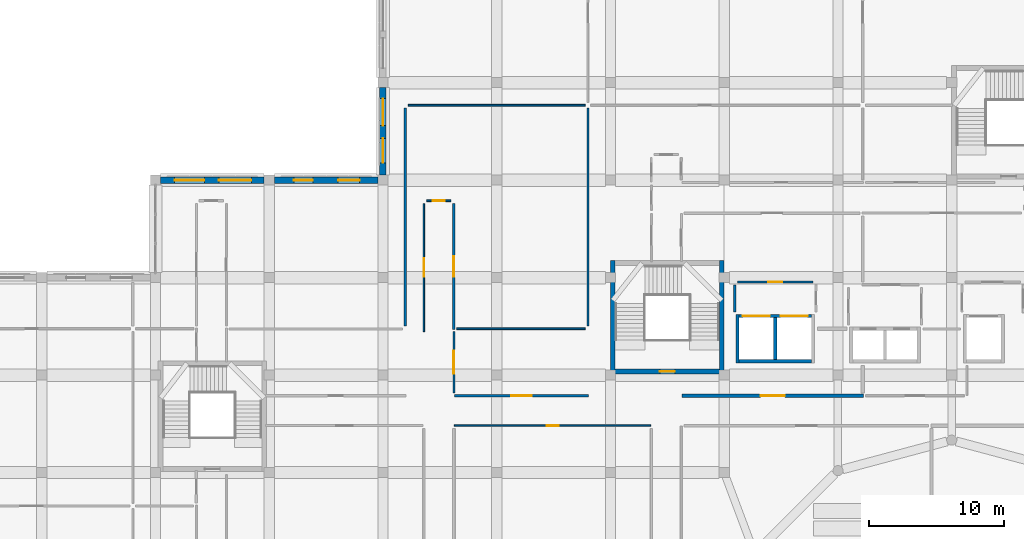
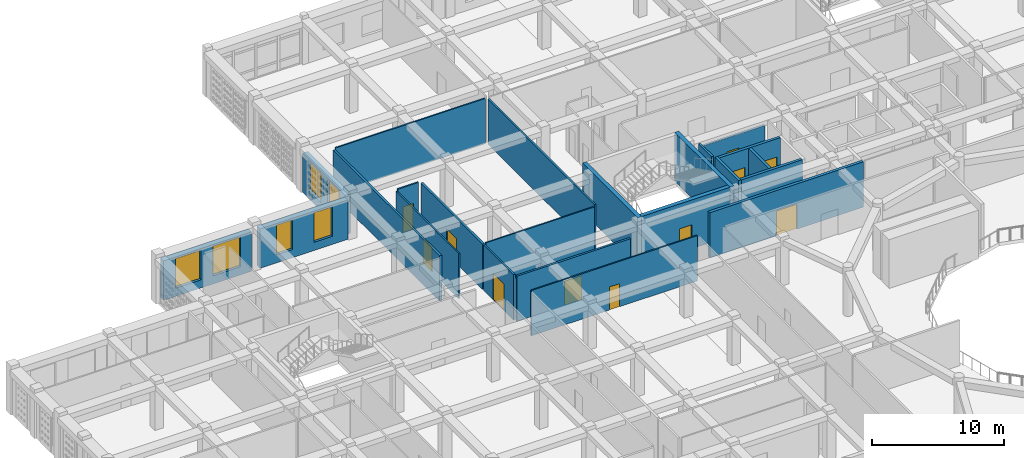
# One storey, part 66 of 111: 23 walls, 11 doors, 6 windows, 17 openings.
"""IFC4 building model written with IfcOpenShell, lengths in metres."""

from ifc_helpers import new_model, si_unit, derived_unit, direction, frame, frame_2d, origin, place, context, subcontext, project, spatial, rectangle, extrude, material, layer, layer_set, type_object, element, fill, save


model = new_model("IFC4")

# Units and contexts
model_context = context("Model", 3, precision=1e-05, world=origin(), true_north=direction((0.0, 1.0)))
body_context = subcontext(model_context, "Body", "Model", "MODEL_VIEW")
ifc_project = project(units=[si_unit("LENGTHUNIT", "METRE"), si_unit("AREAUNIT", "SQUARE_METRE"), si_unit("VOLUMEUNIT", "CUBIC_METRE"), si_unit("PLANEANGLEUNIT", "RADIAN"), si_unit("MASSUNIT", "GRAM", prefix="KILO"), derived_unit("THERMALTRANSMITTANCEUNIT", [(si_unit("POWERUNIT", "WATT"), 1), (si_unit("LENGTHUNIT", "METRE"), -2), (si_unit("THERMODYNAMICTEMPERATUREUNIT", "KELVIN"), -1)])], contexts=[model_context])

# Site, building, storey
site_placement = place(None, origin())
site = spatial("IfcSite", under=ifc_project, at=site_placement, CompositionType="ELEMENT")
building_placement = place(site_placement, origin())
building = spatial("IfcBuilding", under=site, at=building_placement, Name="Veybourne Emporium", CompositionType="ELEMENT")
storey_placement = place(building_placement, frame((0.0, 0.0, 9.89990234375)))
storey = spatial("IfcBuildingStorey", under=building, at=storey_placement, Name="L02", CompositionType="ELEMENT", Elevation=9.89990234375)

# Wall, openings, windows
ifc_material_1 = material(Name="Portland Limestone Ashlar", Category="masonry")
ifc_layer_1 = layer(ifc_material_1, 0.47998046875)
ifc_layer_set_1 = layer_set([ifc_layer_1], Name="Portland Limestone Ashlar")
wall_type_1 = type_object("IfcWallType", Name="ExtWall_EW-01", PredefinedType="SOLIDWALL", material=ifc_layer_set_1)
wall_1_placement = place(storey_placement, frame((17.175048828125, 86.39990234375, 0.0), z_axis=(0.0, 0.0, 1.0), x_axis=(1.0, 0.0, 0.0)))
wall_1 = element("IfcWall", 1, at=wall_1_placement, inside=storey, type_object=wall_type_1, Name="L02 Portland stone external wall 017", PredefinedType="SOLIDWALL", context=body_context, shape_type="SweptSolid", body=[
    extrude(rectangle(XDim=7.64990234375, YDim=0.47998046875, at=frame_2d((3.824951171875, 0.0))), origin(), (0.0, 0.0, 1.0), 3.630126953125),
])
opening_1_placement = place(wall_1_placement, frame((1.0419921875, 0.0, 0.75)))
opening_1 = element("IfcOpeningElement", 2, at=opening_1_placement, cuts=wall_1, Name="Opening W-46", PredefinedType="OPENING", context=body_context, shape_type="SweptSolid", body=[
    extrude(rectangle(XDim=2.199951171875, YDim=2.72998046875, at=frame_2d((1.10009765625, 1.364990234375))), frame((0.0, 0.260009765625, 0.0), z_axis=(0.0, -1.0, 0.0), x_axis=(1.0, 0.0, 0.0)), (0.0, 0.0, 1.0), 0.52001953125),
])
opening_2_placement = place(wall_1_placement, frame((4.30810546875, 0.0, 0.75)))
opening_2 = element("IfcOpeningElement", 3, at=opening_2_placement, cuts=wall_1, Name="Opening W-47", PredefinedType="OPENING", context=body_context, shape_type="SweptSolid", body=[
    extrude(rectangle(XDim=2.39990234375, YDim=2.72998046875, at=frame_2d((1.199951171875, 1.364990234375))), frame((0.0, 0.260009765625, 0.0), z_axis=(0.0, -1.0, 0.0), x_axis=(1.0, 0.0, 0.0)), (0.0, 0.0, 1.0), 0.52001953125),
])
ifc_material_2 = material(Name="Low-E Triple Glazing", Category="glass")
window_type_1 = type_object("IfcWindowType", Name="Win_W-46", PartitioningType="TRIPLE_PANEL_VERTICAL", PredefinedType="WINDOW", material=ifc_material_2)
window_1_placement = place(opening_1_placement, origin())
window_1 = element("IfcWindow", 4, at=window_1_placement, inside=storey, type_object=window_type_1, Name="L02 tripartite bronze casement window W-46 (17.1)", OverallHeight=2.72998046875, OverallWidth=2.199951171875, PartitioningType="TRIPLE_PANEL_VERTICAL", PredefinedType="WINDOW", context=body_context, shape_type="SweptSolid", body=[
    extrude(rectangle(XDim=2.199951171875, YDim=2.72998046875, at=frame_2d((1.10009765625, 1.364990234375))), frame((0.0, 0.030029296875, 0.0), z_axis=(0.0, -1.0, 0.0), x_axis=(1.0, 0.0, 0.0)), (0.0, 0.0, 1.0), 0.06005859375),
])
fill(opening_1, window_1)
window_type_2 = type_object("IfcWindowType", Name="Win_W-47", PartitioningType="TRIPLE_PANEL_VERTICAL", PredefinedType="WINDOW", material=ifc_material_2)
window_2_placement = place(opening_2_placement, origin())
window_2 = element("IfcWindow", 5, at=window_2_placement, inside=storey, type_object=window_type_2, Name="L02 tripartite bronze casement window W-47 (17.2)", OverallHeight=2.72998046875, OverallWidth=2.39990234375, PartitioningType="TRIPLE_PANEL_VERTICAL", PredefinedType="WINDOW", context=body_context, shape_type="SweptSolid", body=[
    extrude(rectangle(XDim=2.39990234375, YDim=2.72998046875, at=frame_2d((1.199951171875, 1.364990234375))), frame((0.0, 0.030029296875, 0.0), z_axis=(0.0, -1.0, 0.0), x_axis=(1.0, 0.0, 0.0)), (0.0, 0.0, 1.0), 0.06005859375),
])
fill(opening_2, window_2)

wall_2_placement = place(storey_placement, frame((25.574951171875, 86.39990234375, 0.0), z_axis=(0.0, 0.0, 1.0), x_axis=(1.0, 0.0, 0.0)))
wall_2 = element("IfcWall", 6, at=wall_2_placement, inside=storey, type_object=wall_type_1, Name="L02 Portland stone external wall 020", PredefinedType="SOLIDWALL", context=body_context, shape_type="SweptSolid", body=[
    extrude(rectangle(XDim=7.650146484375, YDim=0.47998046875, at=frame_2d((3.8251953125, 0.0))), origin(), (0.0, 0.0, 1.0), 3.630126953125),
])
opening_3_placement = place(wall_2_placement, frame((1.44189453125, 0.0, 0.75)))
opening_3 = element("IfcOpeningElement", 7, at=opening_3_placement, cuts=wall_2, Name="Opening W-50", PredefinedType="OPENING", context=body_context, shape_type="SweptSolid", body=[
    extrude(rectangle(XDim=1.39990234375, YDim=2.72998046875, at=frame_2d((0.699951171875, 1.364990234375))), frame((0.0, 0.260009765625, 0.0), z_axis=(0.0, -1.0, 0.0), x_axis=(1.0, 0.0, 0.0)), (0.0, 0.0, 1.0), 0.52001953125),
])
opening_4_placement = place(wall_2_placement, frame((4.7080078125, 0.0, 0.75)))
opening_4 = element("IfcOpeningElement", 8, at=opening_4_placement, cuts=wall_2, Name="Opening W-51", PredefinedType="OPENING", context=body_context, shape_type="SweptSolid", body=[
    extrude(rectangle(XDim=1.60009765625, YDim=2.72998046875, at=frame_2d((0.800048828125, 1.364990234375))), frame((0.0, 0.260009765625, 0.0), z_axis=(0.0, -1.0, 0.0), x_axis=(1.0, 0.0, 0.0)), (0.0, 0.0, 1.0), 0.52001953125),
])
window_type_3 = type_object("IfcWindowType", Name="Win_W-50", PartitioningType="DOUBLE_PANEL_VERTICAL", PredefinedType="WINDOW", material=ifc_material_2)
window_3_placement = place(opening_3_placement, origin())
window_3 = element("IfcWindow", 9, at=window_3_placement, inside=storey, type_object=window_type_3, Name="L02 tripartite bronze casement window W-50 (20.1)", OverallHeight=2.72998046875, OverallWidth=1.39990234375, PartitioningType="DOUBLE_PANEL_VERTICAL", PredefinedType="WINDOW", context=body_context, shape_type="SweptSolid", body=[
    extrude(rectangle(XDim=1.39990234375, YDim=2.72998046875, at=frame_2d((0.699951171875, 1.364990234375))), frame((0.0, 0.030029296875, 0.0), z_axis=(0.0, -1.0, 0.0), x_axis=(1.0, 0.0, 0.0)), (0.0, 0.0, 1.0), 0.06005859375),
])
fill(opening_3, window_3)
window_type_4 = type_object("IfcWindowType", Name="Win_W-51", PartitioningType="DOUBLE_PANEL_VERTICAL", PredefinedType="WINDOW", material=ifc_material_2)
window_4_placement = place(opening_4_placement, origin())
window_4 = element("IfcWindow", 10, at=window_4_placement, inside=storey, type_object=window_type_4, Name="L02 tripartite bronze casement window W-51 (20.2)", OverallHeight=2.72998046875, OverallWidth=1.60009765625, PartitioningType="DOUBLE_PANEL_VERTICAL", PredefinedType="WINDOW", context=body_context, shape_type="SweptSolid", body=[
    extrude(rectangle(XDim=1.60009765625, YDim=2.72998046875, at=frame_2d((0.800048828125, 1.364990234375))), frame((0.0, 0.030029296875, 0.0), z_axis=(0.0, -1.0, 0.0), x_axis=(1.0, 0.0, 0.0)), (0.0, 0.0, 1.0), 0.06005859375),
])
fill(opening_4, window_4)

wall_3_placement = place(storey_placement, frame((33.60009765625, 86.77490234375, 0.0), z_axis=(0.0, 0.0, 1.0), x_axis=(0.0, 1.0, 0.0)))
wall_3 = element("IfcWall", 11, at=wall_3_placement, inside=storey, type_object=wall_type_1, Name="L02 Portland stone external wall 022", PredefinedType="SOLIDWALL", context=body_context, shape_type="SweptSolid", body=[
    extrude(rectangle(XDim=6.4501953125, YDim=0.47998046875, at=frame_2d((3.22509765625, 0.0))), origin(), (0.0, 0.0, 1.0), 3.630126953125),
])
opening_5_placement = place(wall_3_placement, frame((0.906005859375, 0.0, 0.75)))
opening_5 = element("IfcOpeningElement", 12, at=opening_5_placement, cuts=wall_3, Name="Opening W-52", PredefinedType="OPENING", context=body_context, shape_type="SweptSolid", body=[
    extrude(rectangle(XDim=1.800048828125, YDim=2.72998046875, at=frame_2d((0.89990234375, 1.364990234375))), frame((0.0, 0.260009765625, 0.0), z_axis=(0.0, -1.0, 0.0), x_axis=(1.0, 0.0, 0.0)), (0.0, 0.0, 1.0), 0.52001953125),
])
opening_6_placement = place(wall_3_placement, frame((3.64404296875, 0.0, 0.75)))
opening_6 = element("IfcOpeningElement", 13, at=opening_6_placement, cuts=wall_3, Name="Opening W-53", PredefinedType="OPENING", context=body_context, shape_type="SweptSolid", body=[
    extrude(rectangle(XDim=2.0, YDim=2.72998046875, at=frame_2d((1.0, 1.364990234375))), frame((0.0, 0.260009765625, 0.0), z_axis=(0.0, -1.0, 0.0), x_axis=(1.0, 0.0, 0.0)), (0.0, 0.0, 1.0), 0.52001953125),
])
window_type_5 = type_object("IfcWindowType", Name="Win_W-52", PartitioningType="DOUBLE_PANEL_VERTICAL", PredefinedType="WINDOW", material=ifc_material_2)
window_5_placement = place(opening_5_placement, origin())
window_5 = element("IfcWindow", 14, at=window_5_placement, inside=storey, type_object=window_type_5, Name="L02 tripartite bronze casement window W-52 (22.1)", OverallHeight=2.72998046875, OverallWidth=1.800048828125, PartitioningType="DOUBLE_PANEL_VERTICAL", PredefinedType="WINDOW", context=body_context, shape_type="SweptSolid", body=[
    extrude(rectangle(XDim=1.800048828125, YDim=2.72998046875, at=frame_2d((0.89990234375, 1.364990234375))), frame((0.0, 0.030029296875, 0.0), z_axis=(0.0, -1.0, 0.0), x_axis=(1.0, 0.0, 0.0)), (0.0, 0.0, 1.0), 0.06005859375),
])
fill(opening_5, window_5)
window_type_6 = type_object("IfcWindowType", Name="Win_W-53", PartitioningType="TRIPLE_PANEL_VERTICAL", PredefinedType="WINDOW", material=ifc_material_2)
window_6_placement = place(opening_6_placement, origin())
window_6 = element("IfcWindow", 15, at=window_6_placement, inside=storey, type_object=window_type_6, Name="L02 tripartite bronze casement window W-53 (22.2)", OverallHeight=2.72998046875, OverallWidth=2.0, PartitioningType="TRIPLE_PANEL_VERTICAL", PredefinedType="WINDOW", context=body_context, shape_type="SweptSolid", body=[
    extrude(rectangle(XDim=2.0, YDim=2.72998046875, at=frame_2d((1.0, 1.364990234375))), frame((0.0, 0.030029296875, 0.0), z_axis=(0.0, -1.0, 0.0), x_axis=(1.0, 0.0, 0.0)), (0.0, 0.0, 1.0), 0.06005859375),
])
fill(opening_6, window_6)

# Wall, opening, door
ifc_material_3 = material(Name="Concrete C40/50", Category="concrete")
ifc_layer_2 = layer(ifc_material_3, 0.35009765625)
ifc_layer_set_2 = layer_set([ifc_layer_2], Name="Concrete C40/50")
wall_type_2 = type_object("IfcWallType", Name="IntWall_CW-02", PredefinedType="SHEAR", material=ifc_layer_set_2)
wall_4_placement = place(storey_placement, frame((58.449951171875, 72.27490234375, 0.0), z_axis=(0.0, 0.0, 1.0), x_axis=(-1.0, 0.0, 0.0)))
wall_4 = element("IfcWall", 16, at=wall_4_placement, inside=storey, type_object=wall_type_2, Name="Core stair ST-03 south shear wall (L02)", PredefinedType="SHEAR", context=body_context, shape_type="SweptSolid", body=[
    extrude(rectangle(XDim=7.699951171875, YDim=0.35009765625, at=frame_2d((3.85009765625, 0.0))), origin(), (0.0, 0.0, 1.0), 4.5),
])
opening_7_placement = place(wall_4_placement, frame((3.300048828125, 0.0, 0.0)))
opening_7 = element("IfcOpeningElement", 17, at=opening_7_placement, cuts=wall_4, Name="Opening FD-01", PredefinedType="OPENING", context=body_context, shape_type="SweptSolid", body=[
    extrude(rectangle(XDim=1.10009765625, YDim=2.199951171875, at=frame_2d((0.550048828125, 1.10009765625))), frame((0.0, 0.195068359375, 0.0), z_axis=(0.0, -1.0, 0.0), x_axis=(1.0, 0.0, 0.0)), (0.0, 0.0, 1.0), 0.39013671875),
])
ifc_material_4 = material(Name="Patinated Architectural Bronze", Category="bronze")
door_type_1 = type_object("IfcDoorType", Name="FireDoor_FD-01", OperationType="NOTDEFINED", PredefinedType="DOOR", material=ifc_material_4)
door_1_placement = place(opening_7_placement, origin())
door_1 = element("IfcDoor", 18, at=door_1_placement, inside=storey, type_object=door_type_1, Name="Stair ST-03 fire door (L02)", OperationType="SINGLE_SWING_LEFT", OverallHeight=2.199951171875, OverallWidth=1.10009765625, PredefinedType="DOOR", context=body_context, shape_type="SweptSolid", body=[
    extrude(rectangle(XDim=1.10009765625, YDim=2.199951171875, at=frame_2d((0.550048828125, 1.10009765625))), frame((0.0, 0.02490234375, 0.0), z_axis=(0.0, -1.0, 0.0), x_axis=(1.0, 0.0, 0.0)), (0.0, 0.0, 1.0), 0.050048828125),
])
fill(opening_7, door_1)

# Walls
for number, where, z_axis, x_axis, name in (
    (19, (50.574951171875, 80.449951171875, 0.0), (0.0, 0.0, 1.0), (0.0, -1.0, 0.0), "Core stair ST-03 west shear wall (L02)"),
    (20, (58.625, 72.10009765625, 0.0), (0.0, 0.0, 1.0), (0.0, 1.0, 0.0), "Core stair ST-03 east shear wall (L02)"),
):
    element("IfcWall", number, at=place(storey_placement, frame(where, z_axis=z_axis, x_axis=x_axis)), inside=storey, type_object=wall_type_2, Name=name, PredefinedType="SHEAR", context=body_context, shape_type="SweptSolid", body=[
        extrude(rectangle(XDim=8.349853515625, YDim=0.35009765625, at=frame_2d((4.1748046875, 0.0))), origin(), (0.0, 0.0, 1.0), 4.5),
    ])

# Wall, openings, doors
ifc_layer_3 = layer(ifc_material_3, 0.239990234375)
ifc_layer_set_3 = layer_set([ifc_layer_3], Name="Concrete C40/50")
wall_type_3 = type_object("IfcWallType", Name="IntWall_CW-04", PredefinedType="SHEAR", material=ifc_layer_set_3)
wall_5_placement = place(storey_placement, frame((65.239990234375, 76.3701171875, 0.0), z_axis=(0.0, 0.0, 1.0), x_axis=(-1.0, 0.0, 0.0)))
wall_5 = element("IfcWall", 21, at=wall_5_placement, inside=storey, type_object=wall_type_3, Name="Lift core C4G north shaft wall (L02)", PredefinedType="SHEAR", context=body_context, shape_type="SweptSolid", body=[
    extrude(rectangle(XDim=5.340087890625, YDim=0.239990234375, at=frame_2d((2.669921875, 0.0))), origin(), (0.0, 0.0, 1.0), 4.18017578125),
])
opening_8_placement = place(wall_5_placement, frame((3.06494140625, 0.0, 0.0)))
opening_8 = element("IfcOpeningElement", 22, at=opening_8_placement, cuts=wall_5, Name="Opening LD-03", PredefinedType="OPENING", context=body_context, shape_type="SweptSolid", body=[
    extrude(rectangle(XDim=2.0, YDim=2.5, at=frame_2d((1.0, 1.25))), frame((0.0, 0.14013671875, 0.0), z_axis=(0.0, -1.0, 0.0), x_axis=(1.0, 0.0, 0.0)), (0.0, 0.0, 1.0), 0.280029296875),
])
opening_9_placement = place(wall_5_placement, frame((0.27490234375, 0.0, 0.0)))
opening_9 = element("IfcOpeningElement", 23, at=opening_9_placement, cuts=wall_5, Name="Opening LD-03", PredefinedType="OPENING", context=body_context, shape_type="SweptSolid", body=[
    extrude(rectangle(XDim=2.0, YDim=2.5, at=frame_2d((1.0, 1.25))), frame((0.0, 0.14013671875, 0.0), z_axis=(0.0, -1.0, 0.0), x_axis=(1.0, 0.0, 0.0)), (0.0, 0.0, 1.0), 0.280029296875),
])
door_type_2 = type_object("IfcDoorType", Name="FireDoor_LD-03", OperationType="DOUBLE_DOOR_SLIDING", PredefinedType="DOOR", material=ifc_material_4)
door_2_placement = place(opening_8_placement, origin())
door_2 = element("IfcDoor", 24, at=door_2_placement, inside=storey, type_object=door_type_2, Name="Lift GL-01 sliding landing door (L02)", OperationType="DOUBLE_DOOR_SLIDING", OverallHeight=2.5, OverallWidth=2.0, PredefinedType="DOOR", context=body_context, shape_type="SweptSolid", body=[
    extrude(rectangle(XDim=2.0, YDim=2.5, at=frame_2d((1.0, 1.25))), frame((0.0, 0.02490234375, 0.0), z_axis=(0.0, -1.0, 0.0), x_axis=(1.0, 0.0, 0.0)), (0.0, 0.0, 1.0), 0.050048828125),
])
fill(opening_8, door_2)
door_3_placement = place(opening_9_placement, origin())
door_3 = element("IfcDoor", 25, at=door_3_placement, inside=storey, type_object=door_type_2, Name="Lift GL-02 sliding landing door (L02)", OperationType="DOUBLE_DOOR_SLIDING", OverallHeight=2.5, OverallWidth=2.0, PredefinedType="DOOR", context=body_context, shape_type="SweptSolid", body=[
    extrude(rectangle(XDim=2.0, YDim=2.5, at=frame_2d((1.0, 1.25))), frame((0.0, 0.02490234375, 0.0), z_axis=(0.0, -1.0, 0.0), x_axis=(1.0, 0.0, 0.0)), (0.0, 0.0, 1.0), 0.050048828125),
])
fill(opening_9, door_3)

# Walls
wall_6_placement = place(storey_placement, frame((59.89990234375, 73.030029296875, 0.0), z_axis=(0.0, 0.0, 1.0), x_axis=(1.0, 0.0, 0.0)))
element("IfcWall", 26, at=wall_6_placement, inside=storey, type_object=wall_type_3, Name="Lift core C4G south shaft wall (L02)", PredefinedType="SHEAR", context=body_context, shape_type="SweptSolid", body=[
    extrude(rectangle(XDim=5.340087890625, YDim=0.239990234375, at=frame_2d((2.669921875, 0.0))), origin(), (0.0, 0.0, 1.0), 4.18017578125),
])
wall_7_placement = place(storey_placement, frame((59.780029296875, 76.489990234375, 0.0), z_axis=(0.0, 0.0, 1.0), x_axis=(0.0, -1.0, 0.0)))
element("IfcWall", 27, at=wall_7_placement, inside=storey, type_object=wall_type_3, Name="Lift core C4G west shaft wall (L02)", PredefinedType="SHEAR", context=body_context, shape_type="SweptSolid", body=[
    extrude(rectangle(XDim=3.580078125, YDim=0.239990234375, at=frame_2d((1.7900390625, 0.0))), origin(), (0.0, 0.0, 1.0), 4.18017578125),
])
wall_8_placement = place(storey_placement, frame((62.570068359375, 73.14990234375, 0.0), z_axis=(0.0, 0.0, 1.0), x_axis=(0.0, 1.0, 0.0)))
element("IfcWall", 28, at=wall_8_placement, inside=storey, type_object=wall_type_3, Name="Lift core C4G divider wall 1 (L02)", PredefinedType="SHEAR", context=body_context, shape_type="SweptSolid", body=[
    extrude(rectangle(XDim=3.10009765625, YDim=0.239990234375, at=frame_2d((1.550048828125, 0.0))), origin(), (0.0, 0.0, 1.0), 4.18017578125),
])

# Wall, opening, door
ifc_material_5 = material(Name="Concrete C32/40", Category="concrete")
ifc_layer_4 = layer(ifc_material_5, 0.25)
ifc_layer_set_4 = layer_set([ifc_layer_4], Name="Concrete C32/40")
wall_type_4 = type_object("IfcWallType", Name="IntWall_FW-01", PredefinedType="SOLIDWALL", material=ifc_layer_set_4)
wall_9_placement = place(storey_placement, frame((55.679931640625, 70.47998046875, 0.0), z_axis=(0.0, 0.0, 1.0), x_axis=(1.0, 0.0, 0.0)))
wall_9 = element("IfcWall", 29, at=wall_9_placement, inside=storey, type_object=wall_type_4, Name="L02 interior partition FW-01 #033", PredefinedType="SOLIDWALL", context=body_context, shape_type="SweptSolid", body=[
    extrude(rectangle(XDim=13.400146484375, YDim=0.25, at=frame_2d((6.7001953125, 0.0))), origin(), (0.0, 0.0, 1.0), 4.18017578125),
])
opening_10_placement = place(wall_9_placement, frame((5.800048828125, 0.0, 0.0)))
opening_10 = element("IfcOpeningElement", 30, at=opening_10_placement, cuts=wall_9, Name="Opening FD-03", PredefinedType="OPENING", context=body_context, shape_type="SweptSolid", body=[
    extrude(rectangle(XDim=1.800048828125, YDim=2.300048828125, at=frame_2d((0.89990234375, 1.14990234375))), frame((0.0, 0.14501953125, 0.0), z_axis=(0.0, -1.0, 0.0), x_axis=(1.0, 0.0, 0.0)), (0.0, 0.0, 1.0), 0.2900390625),
])
door_type_3 = type_object("IfcDoorType", Name="FireDoor_FD-03", OperationType="DOUBLE_DOOR_SINGLE_SWING", PredefinedType="DOOR", material=ifc_material_4)
door_4_placement = place(opening_10_placement, origin())
door_4 = element("IfcDoor", 31, at=door_4_placement, inside=storey, type_object=door_type_3, Name="L02 interior door FD-03 (PART-L02-033)", OperationType="DOUBLE_DOOR_SINGLE_SWING", OverallHeight=2.300048828125, OverallWidth=1.800048828125, PredefinedType="DOOR", context=body_context, shape_type="SweptSolid", body=[
    extrude(rectangle(XDim=1.800048828125, YDim=2.300048828125, at=frame_2d((0.89990234375, 1.14990234375))), frame((0.0, 0.02490234375, 0.0), z_axis=(0.0, -1.0, 0.0), x_axis=(1.0, 0.0, 0.0)), (0.0, 0.0, 1.0), 0.050048828125),
])
fill(opening_10, door_4)

ifc_material_6 = material(Name="Gypsum Acoustic Board", Category="gypsum")
ifc_layer_5 = layer(ifc_material_6, 0.179931640625)
ifc_layer_set_5 = layer_set([ifc_layer_5], Name="Gypsum Acoustic Board")
wall_type_5 = type_object("IfcWallType", Name="IntWall_IW-01", PredefinedType="PARTITIONING", material=ifc_layer_set_5)
wall_10_placement = place(storey_placement, frame((38.8798828125, 70.47998046875, 0.0), z_axis=(0.0, 0.0, 1.0), x_axis=(1.0, 0.0, 0.0)))
wall_10 = element("IfcWall", 32, at=wall_10_placement, inside=storey, type_object=wall_type_5, Name="L02 interior partition IW-01 #069", PredefinedType="PARTITIONING", context=body_context, shape_type="SweptSolid", body=[
    extrude(rectangle(XDim=9.900146484375, YDim=0.179931640625, at=frame_2d((4.9501953125, 0.0))), origin(), (0.0, 0.0, 1.0), 4.18017578125),
])
opening_11_placement = place(wall_10_placement, frame((4.18994140625, 0.0, 0.0)))
opening_11 = element("IfcOpeningElement", 33, at=opening_11_placement, cuts=wall_10, Name="Opening D-17", PredefinedType="OPENING", context=body_context, shape_type="SweptSolid", body=[
    extrude(rectangle(XDim=1.52001953125, YDim=2.2099609375, at=frame_2d((0.760009765625, 1.10498046875))), frame((0.0, 0.10986328125, 0.0), z_axis=(0.0, -1.0, 0.0), x_axis=(1.0, 0.0, 0.0)), (0.0, 0.0, 1.0), 0.219970703125),
])
ifc_material_7 = material(Name="European Oak Veneer and Bronze", Category="wood")
door_type_4 = type_object("IfcDoorType", Name="IntDoor_D-17", OperationType="NOTDEFINED", PredefinedType="DOOR", material=ifc_material_7)
door_5_placement = place(opening_11_placement, origin())
door_5 = element("IfcDoor", 34, at=door_5_placement, inside=storey, type_object=door_type_4, Name="L02 interior door D-17 (PART-L02-069)", OperationType="SINGLE_SWING_RIGHT", OverallHeight=2.2099609375, OverallWidth=1.52001953125, PredefinedType="DOOR", context=body_context, shape_type="SweptSolid", body=[
    extrude(rectangle(XDim=1.52001953125, YDim=2.2099609375, at=frame_2d((0.760009765625, 1.10498046875))), frame((0.0, 0.02490234375, 0.0), z_axis=(0.0, -1.0, 0.0), x_axis=(1.0, 0.0, 0.0)), (0.0, 0.0, 1.0), 0.050048828125),
])
fill(opening_11, door_5)

wall_11_placement = place(storey_placement, frame((38.830078125, 75.373046875, 0.0), z_axis=(0.0, 0.0, 1.0), x_axis=(0.0, 1.0, 0.0)))
wall_11 = element("IfcWall", 35, at=wall_11_placement, inside=storey, type_object=wall_type_5, Name="L02 interior partition IW-01 #075", PredefinedType="PARTITIONING", context=body_context, shape_type="SweptSolid", body=[
    extrude(rectangle(XDim=9.296875, YDim=0.179931640625, at=frame_2d((4.6484375, 0.0))), origin(), (0.0, 0.0, 1.0), 4.18017578125),
])
opening_12_placement = place(wall_11_placement, frame((3.888427734375, 0.0, 0.0)))
opening_12 = element("IfcOpeningElement", 36, at=opening_12_placement, cuts=wall_11, Name="Opening D-23", PredefinedType="OPENING", context=body_context, shape_type="SweptSolid", body=[
    extrude(rectangle(XDim=1.52001953125, YDim=2.2900390625, at=frame_2d((0.760009765625, 1.14501953125))), frame((0.0, 0.10986328125, 0.0), z_axis=(0.0, -1.0, 0.0), x_axis=(1.0, 0.0, 0.0)), (0.0, 0.0, 1.0), 0.219970703125),
])
door_type_5 = type_object("IfcDoorType", Name="IntDoor_D-23", OperationType="NOTDEFINED", PredefinedType="DOOR", material=ifc_material_7)
door_6_placement = place(opening_12_placement, origin())
door_6 = element("IfcDoor", 37, at=door_6_placement, inside=storey, type_object=door_type_5, Name="L02 interior door D-23 (PART-L02-075)", OperationType="SINGLE_SWING_RIGHT", OverallHeight=2.2900390625, OverallWidth=1.52001953125, PredefinedType="DOOR", context=body_context, shape_type="SweptSolid", body=[
    extrude(rectangle(XDim=1.52001953125, YDim=2.2900390625, at=frame_2d((0.760009765625, 1.14501953125))), frame((0.0, 0.02490234375, 0.0), z_axis=(0.0, -1.0, 0.0), x_axis=(1.0, 0.0, 0.0)), (0.0, 0.0, 1.0), 0.050048828125),
])
fill(opening_12, door_6)

wall_12_placement = place(storey_placement, frame((59.780029296875, 78.8798828125, 0.0), z_axis=(0.0, 0.0, 1.0), x_axis=(1.0, 0.0, 0.0)))
wall_12 = element("IfcWall", 38, at=wall_12_placement, inside=storey, type_object=wall_type_5, Name="L02 interior partition IW-01 #084", PredefinedType="PARTITIONING", context=body_context, shape_type="SweptSolid", body=[
    extrude(rectangle(XDim=5.590087890625, YDim=0.179931640625, at=frame_2d((2.794921875, 0.0))), origin(), (0.0, 0.0, 1.0), 3.72998046875),
])
opening_13_placement = place(wall_12_placement, frame((2.27490234375, 0.0, 0.0)))
opening_13 = element("IfcOpeningElement", 39, at=opening_13_placement, cuts=wall_12, Name="Opening D-32", PredefinedType="OPENING", context=body_context, shape_type="SweptSolid", body=[
    extrude(rectangle(XDim=1.0400390625, YDim=2.449951171875, at=frame_2d((0.52001953125, 1.22509765625))), frame((0.0, 0.10986328125, 0.0), z_axis=(0.0, -1.0, 0.0), x_axis=(1.0, 0.0, 0.0)), (0.0, 0.0, 1.0), 0.219970703125),
])
door_type_6 = type_object("IfcDoorType", Name="IntDoor_D-32", OperationType="NOTDEFINED", PredefinedType="DOOR", material=ifc_material_7)
door_7_placement = place(opening_13_placement, origin())
door_7 = element("IfcDoor", 40, at=door_7_placement, inside=storey, type_object=door_type_6, Name="L02 interior door D-32 (PART-L02-084)", OperationType="SINGLE_SWING_RIGHT", OverallHeight=2.449951171875, OverallWidth=1.0400390625, PredefinedType="DOOR", context=body_context, shape_type="SweptSolid", body=[
    extrude(rectangle(XDim=1.0400390625, YDim=2.449951171875, at=frame_2d((0.52001953125, 1.22509765625))), frame((0.0, 0.02490234375, 0.0), z_axis=(0.0, -1.0, 0.0), x_axis=(1.0, 0.0, 0.0)), (0.0, 0.0, 1.0), 0.050048828125),
])
fill(opening_13, door_7)

# Walls
wall_13_placement = place(storey_placement, frame((59.570068359375, 76.672119140625, 0.0), z_axis=(0.0, 0.0, 1.0), x_axis=(0.0, 1.0, 0.0)))
element("IfcWall", 41, at=wall_13_placement, inside=storey, type_object=wall_type_5, Name="L02 interior partition IW-01 #132", PredefinedType="PARTITIONING", context=body_context, shape_type="SweptSolid", body=[
    extrude(rectangle(XDim=1.997802734375, YDim=0.179931640625, at=frame_2d((0.9990234375, 0.0))), origin(), (0.0, 0.0, 1.0), 4.18017578125),
])
wall_14_placement = place(storey_placement, frame((35.260009765625, 75.633056640625, 0.0), z_axis=(0.0, 0.0, 1.0), x_axis=(0.0, 1.0, 0.0)))
element("IfcWall", 42, at=wall_14_placement, inside=storey, type_object=wall_type_5, Name="L02 interior partition IW-01 #165", PredefinedType="PARTITIONING", context=body_context, shape_type="SweptSolid", body=[
    extrude(rectangle(XDim=16.0869140625, YDim=0.179931640625, at=frame_2d((8.04345703125, 0.0))), origin(), (0.0, 0.0, 1.0), 4.18017578125),
])

# Wall, opening, door
ifc_layer_6 = layer(ifc_material_6, 0.14990234375)
ifc_layer_set_6 = layer_set([ifc_layer_6], Name="Gypsum Acoustic Board")
wall_type_6 = type_object("IfcWallType", Name="IntWall_IW-02", PredefinedType="PARTITIONING", material=ifc_layer_set_6)
wall_15_placement = place(storey_placement, frame((38.830078125, 70.68994140625, 0.0), z_axis=(0.0, 0.0, 1.0), x_axis=(0.0, 1.0, 0.0)))
wall_15 = element("IfcWall", 43, at=wall_15_placement, inside=storey, type_object=wall_type_6, Name="L02 interior partition IW-02 #088", PredefinedType="PARTITIONING", context=body_context, shape_type="SweptSolid", body=[
    extrude(rectangle(XDim=4.52294921875, YDim=0.14990234375, at=frame_2d((2.261474609375, 0.0))), origin(), (0.0, 0.0, 1.0), 4.18017578125),
])
opening_14_placement = place(wall_15_placement, frame((1.42138671875, 0.0, 0.0)))
opening_14 = element("IfcOpeningElement", 44, at=opening_14_placement, cuts=wall_15, Name="Opening D-36", PredefinedType="OPENING", context=body_context, shape_type="SweptSolid", body=[
    extrude(rectangle(XDim=1.679931640625, YDim=2.449951171875, at=frame_2d((0.83984375, 1.22509765625))), frame((0.0, 0.094970703125, 0.0), z_axis=(0.0, -1.0, 0.0), x_axis=(1.0, 0.0, 0.0)), (0.0, 0.0, 1.0), 0.18994140625),
])
door_type_7 = type_object("IfcDoorType", Name="IntDoor_D-36", OperationType="DOUBLE_DOOR_SINGLE_SWING", PredefinedType="DOOR", material=ifc_material_7)
door_8_placement = place(opening_14_placement, origin())
door_8 = element("IfcDoor", 45, at=door_8_placement, inside=storey, type_object=door_type_7, Name="L02 interior door D-36 (PART-L02-088)", OperationType="DOUBLE_DOOR_SINGLE_SWING", OverallHeight=2.449951171875, OverallWidth=1.679931640625, PredefinedType="DOOR", context=body_context, shape_type="SweptSolid", body=[
    extrude(rectangle(XDim=1.679931640625, YDim=2.449951171875, at=frame_2d((0.83984375, 1.22509765625))), frame((0.0, 0.02490234375, 0.0), z_axis=(0.0, -1.0, 0.0), x_axis=(1.0, 0.0, 0.0)), (0.0, 0.0, 1.0), 0.050048828125),
])
fill(opening_14, door_8)

# Wall
wall_16_placement = place(storey_placement, frame((48.72998046875, 75.633056640625, 0.0), z_axis=(0.0, 0.0, 1.0), x_axis=(0.0, 1.0, 0.0)))
element("IfcWall", 46, at=wall_16_placement, inside=storey, type_object=wall_type_6, Name="L02 interior partition IW-02 #166", PredefinedType="PARTITIONING", context=body_context, shape_type="SweptSolid", body=[
    extrude(rectangle(XDim=16.0869140625, YDim=0.14990234375, at=frame_2d((8.04345703125, 0.0))), origin(), (0.0, 0.0, 1.0), 4.18017578125),
])

# Wall, opening, door
ifc_layer_7 = layer(ifc_material_6, 0.1201171875)
ifc_layer_set_7 = layer_set([ifc_layer_7], Name="Gypsum Acoustic Board")
wall_type_7 = type_object("IfcWallType", Name="IntWall_IW-03", PredefinedType="PARTITIONING", material=ifc_layer_set_7)
wall_17_placement = place(storey_placement, frame((38.8798828125, 68.27001953125, 0.0), z_axis=(0.0, 0.0, 1.0), x_axis=(1.0, 0.0, 0.0)))
wall_17 = element("IfcWall", 47, at=wall_17_placement, inside=storey, type_object=wall_type_7, Name="L02 interior partition IW-03 #023", PredefinedType="PARTITIONING", context=body_context, shape_type="SweptSolid", body=[
    extrude(rectangle(XDim=14.490234375, YDim=0.1201171875, at=frame_2d((7.2451171875, 0.0))), origin(), (0.0, 0.0, 1.0), 4.18017578125),
])
opening_15_placement = place(wall_17_placement, frame((6.804931640625, 0.0, 0.0)))
opening_15 = element("IfcOpeningElement", 48, at=opening_15_placement, cuts=wall_17, Name="Opening D-07", PredefinedType="OPENING", context=body_context, shape_type="SweptSolid", body=[
    extrude(rectangle(XDim=0.8798828125, YDim=2.1298828125, at=frame_2d((0.43994140625, 1.06494140625))), frame((0.0, 0.080078125, 0.0), z_axis=(0.0, -1.0, 0.0), x_axis=(1.0, 0.0, 0.0)), (0.0, 0.0, 1.0), 0.16015625),
])
door_type_8 = type_object("IfcDoorType", Name="IntDoor_D-07", OperationType="NOTDEFINED", PredefinedType="DOOR", material=ifc_material_7)
door_9_placement = place(opening_15_placement, origin())
door_9 = element("IfcDoor", 49, at=door_9_placement, inside=storey, type_object=door_type_8, Name="L02 interior door D-07 (PART-L02-023)", OperationType="SINGLE_SWING_RIGHT", OverallHeight=2.1298828125, OverallWidth=0.8798828125, PredefinedType="DOOR", context=body_context, shape_type="SweptSolid", body=[
    extrude(rectangle(XDim=0.8798828125, YDim=2.1298828125, at=frame_2d((0.43994140625, 1.06494140625))), frame((0.0, 0.02490234375, 0.0), z_axis=(0.0, -1.0, 0.0), x_axis=(1.0, 0.0, 0.0)), (0.0, 0.0, 1.0), 0.050048828125),
])
fill(opening_15, door_9)

wall_18_placement = place(storey_placement, frame((36.6201171875, 75.212890625, 0.0), z_axis=(0.0, 0.0, 1.0), x_axis=(0.0, 1.0, 0.0)))
wall_18 = element("IfcWall", 50, at=wall_18_placement, inside=storey, type_object=wall_type_7, Name="L02 interior partition IW-03 #074", PredefinedType="PARTITIONING", context=body_context, shape_type="SweptSolid", body=[
    extrude(rectangle(XDim=9.45703125, YDim=0.1201171875, at=frame_2d((4.728515625, 0.0))), origin(), (0.0, 0.0, 1.0), 4.18017578125),
])
opening_16_placement = place(wall_18_placement, frame((4.048583984375, 0.0, 0.0)))
opening_16 = element("IfcOpeningElement", 51, at=opening_16_placement, cuts=wall_18, Name="Opening D-22", PredefinedType="OPENING", context=body_context, shape_type="SweptSolid", body=[
    extrude(rectangle(XDim=1.360107421875, YDim=2.2900390625, at=frame_2d((0.68017578125, 1.14501953125))), frame((0.0, 0.080078125, 0.0), z_axis=(0.0, -1.0, 0.0), x_axis=(1.0, 0.0, 0.0)), (0.0, 0.0, 1.0), 0.16015625),
])
door_type_9 = type_object("IfcDoorType", Name="IntDoor_D-22", OperationType="NOTDEFINED", PredefinedType="DOOR", material=ifc_material_7)
door_10_placement = place(opening_16_placement, origin())
door_10 = element("IfcDoor", 52, at=door_10_placement, inside=storey, type_object=door_type_9, Name="L02 interior door D-22 (PART-L02-074)", OperationType="SINGLE_SWING_LEFT", OverallHeight=2.2900390625, OverallWidth=1.360107421875, PredefinedType="DOOR", context=body_context, shape_type="SweptSolid", body=[
    extrude(rectangle(XDim=1.360107421875, YDim=2.2900390625, at=frame_2d((0.68017578125, 1.14501953125))), frame((0.0, 0.02490234375, 0.0), z_axis=(0.0, -1.0, 0.0), x_axis=(1.0, 0.0, 0.0)), (0.0, 0.0, 1.0), 0.050048828125),
])
fill(opening_16, door_10)

wall_19_placement = place(storey_placement, frame((36.830078125, 84.8798828125, 0.0), z_axis=(0.0, 0.0, 1.0), x_axis=(1.0, 0.0, 0.0)))
wall_19 = element("IfcWall", 53, at=wall_19_placement, inside=storey, type_object=wall_type_7, Name="L02 interior partition IW-03 #149", PredefinedType="PARTITIONING", context=body_context, shape_type="SweptSolid", body=[
    extrude(rectangle(XDim=1.7900390625, YDim=0.1201171875, at=frame_2d((0.89501953125, 0.0))), origin(), (0.0, 0.0, 1.0), 4.18017578125),
])
opening_17_placement = place(wall_19_placement, frame((0.455078125, 0.0, 0.0)))
opening_17 = element("IfcOpeningElement", 54, at=opening_17_placement, cuts=wall_19, Name="Opening D-25", PredefinedType="OPENING", context=body_context, shape_type="SweptSolid", body=[
    extrude(rectangle(XDim=0.8798828125, YDim=2.3701171875, at=frame_2d((0.43994140625, 1.18505859375))), frame((0.0, 0.080078125, 0.0), z_axis=(0.0, -1.0, 0.0), x_axis=(1.0, 0.0, 0.0)), (0.0, 0.0, 1.0), 0.16015625),
])
door_type_10 = type_object("IfcDoorType", Name="IntDoor_D-25", OperationType="NOTDEFINED", PredefinedType="DOOR", material=ifc_material_7)
door_11_placement = place(opening_17_placement, origin())
door_11 = element("IfcDoor", 55, at=door_11_placement, inside=storey, type_object=door_type_10, Name="L02 interior door D-25 (PART-L02-149)", OperationType="SINGLE_SWING_LEFT", OverallHeight=2.3701171875, OverallWidth=0.8798828125, PredefinedType="DOOR", context=body_context, shape_type="SweptSolid", body=[
    extrude(rectangle(XDim=0.8798828125, YDim=2.3701171875, at=frame_2d((0.43994140625, 1.18505859375))), frame((0.0, 0.02490234375, 0.0), z_axis=(0.0, -1.0, 0.0), x_axis=(1.0, 0.0, 0.0)), (0.0, 0.0, 1.0), 0.050048828125),
])
fill(opening_17, door_11)

# Walls
wall_20_placement = place(storey_placement, frame((35.469970703125, 91.929931640625, 0.0), z_axis=(0.0, 0.0, 1.0), x_axis=(1.0, 0.0, 0.0)))
element("IfcWall", 56, at=wall_20_placement, inside=storey, type_object=wall_type_7, Name="L02 interior partition IW-03 #173", PredefinedType="PARTITIONING", context=body_context, shape_type="SweptSolid", body=[
    extrude(rectangle(XDim=13.050048828125, YDim=0.1201171875, at=frame_2d((6.52490234375, 0.0))), origin(), (0.0, 0.0, 1.0), 4.18017578125),
])
wall_21_placement = place(storey_placement, frame((39.0400390625, 75.423095703125, 0.0), z_axis=(0.0, 0.0, 1.0), x_axis=(1.0, 0.0, 0.0)))
element("IfcWall", 57, at=wall_21_placement, inside=storey, type_object=wall_type_7, Name="L02 interior partition IW-03 #185", PredefinedType="PARTITIONING", context=body_context, shape_type="SweptSolid", body=[
    extrude(rectangle(XDim=9.47998046875, YDim=0.1201171875, at=frame_2d((4.739990234375, 0.0))), origin(), (0.0, 0.0, 1.0), 4.18017578125),
])

save(model, "model.ifc")
